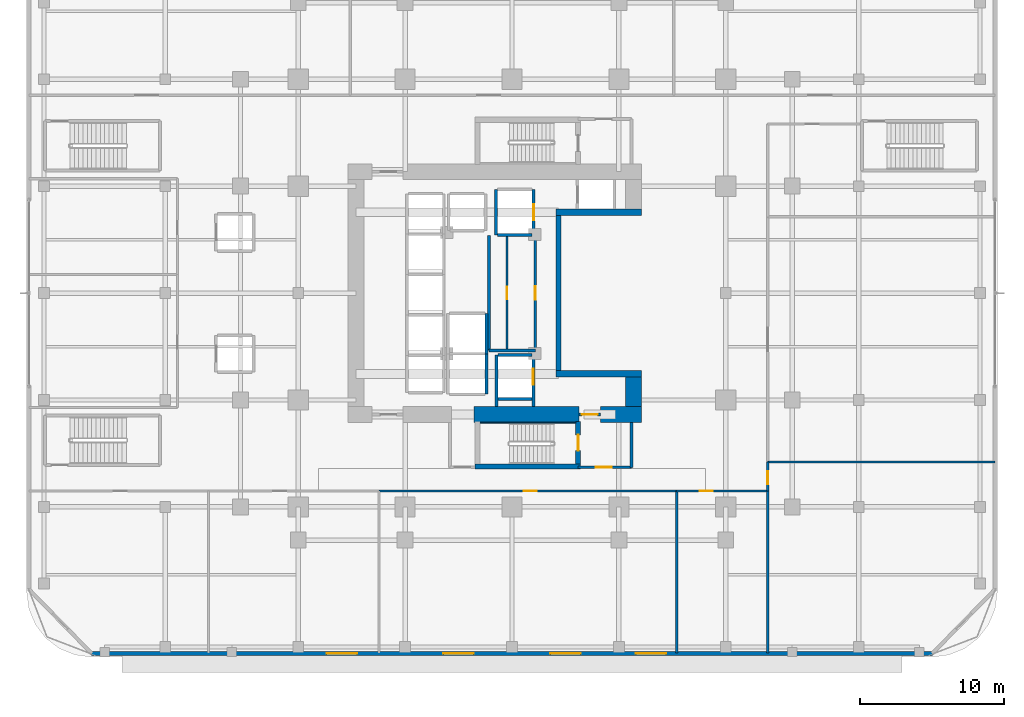
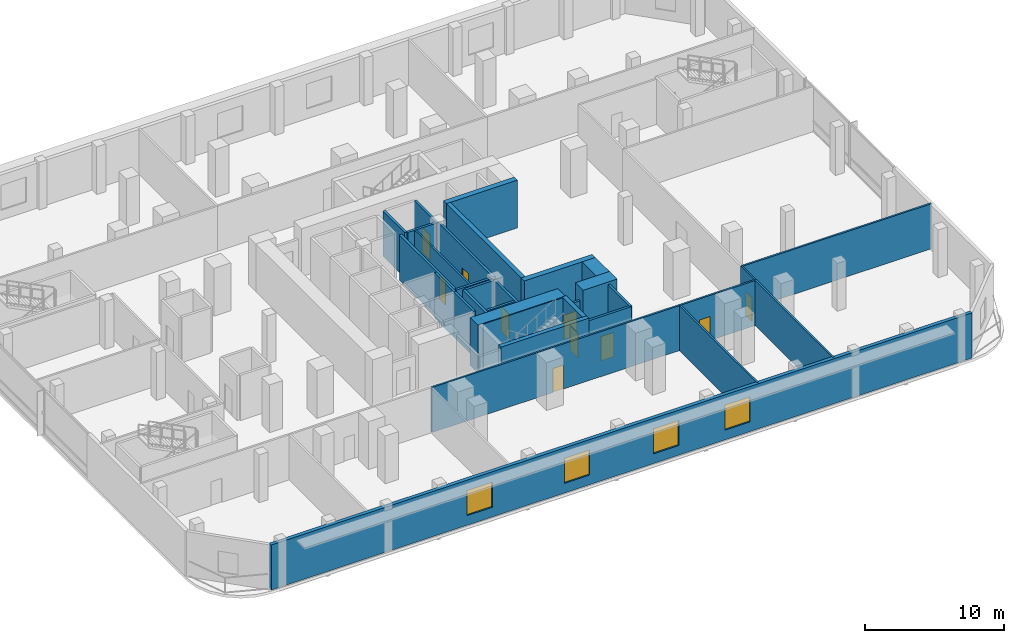
# One storey, part 9 of 19: 32 walls, 10 doors, 4 windows, 14 openings.
"""IFC4 building model written with IfcOpenShell, lengths in metres."""

from ifc_helpers import new_model, si_unit, direction, frame, frame_2d, origin, place, context, subcontext, project, spatial, rectangle, extrude, material, layer, layer_set, type_object, element, fill, save


model = new_model("IFC4")

# Units and contexts
model_context = context("Model", 3, precision=1e-05, world=origin(), true_north=direction((0.0, 1.0)))
body_context = subcontext(model_context, "Body", "Model", "MODEL_VIEW")
ifc_project = project(units=[si_unit("LENGTHUNIT", "METRE"), si_unit("AREAUNIT", "SQUARE_METRE"), si_unit("VOLUMEUNIT", "CUBIC_METRE"), si_unit("PLANEANGLEUNIT", "RADIAN"), si_unit("MASSUNIT", "GRAM", prefix="KILO")], contexts=[model_context])

# Site, building, storey
site_placement = place(None, origin())
site = spatial("IfcSite", under=ifc_project, at=site_placement, CompositionType="ELEMENT")
building_placement = place(site_placement, origin())
building = spatial("IfcBuilding", under=site, at=building_placement, Name="Khorvyn Point Tower", CompositionType="ELEMENT")
storey_placement = place(building_placement, frame((0.0, 0.0, 17.39990234375)))
storey = spatial("IfcBuildingStorey", under=building, at=storey_placement, Name="L05", CompositionType="ELEMENT", Elevation=17.39990234375)

# Walls
ifc_material_1 = material(Name="Concrete C40/50", Category="concrete")
ifc_layer_1 = layer(ifc_material_1, 0.449951171875)
ifc_layer_set_1 = layer_set([ifc_layer_1], Name="Concrete C40/50 Core Shear Wall 450")
wall_type_1 = type_object("IfcWallType", Name="Concrete C40/50 Core Shear Wall 450", PredefinedType="SHEAR", material=ifc_layer_set_1)
for number, where, z_axis, x_axis, name in (
    (1, (3.044921875, -5.60009765625, 0.0), (0.0, 0.0, 1.0), (1.0, 0.0, 0.0), "Wall"),
    (2, (3.044921875, 5.60009765625, 0.0), (0.0, 0.0, 1.0), (1.0, 0.0, 0.0), "Wall"),
):
    element("IfcWall", number, at=place(storey_placement, frame(where, z_axis=z_axis, x_axis=x_axis)), inside=storey, type_object=wall_type_1, Name=name, PredefinedType="SHEAR", context=body_context, shape_type="SweptSolid", body=[
        extrude(rectangle(XDim=5.905029296875, YDim=0.449951171875, at=frame_2d((2.95263671875, 0.0))), origin(), (0.0, 0.0, 1.0), 4.2001953125),
    ])

# Wall, opening, door
ifc_layer_2 = layer(ifc_material_1, 0.199951171875)
ifc_layer_set_2 = layer_set([ifc_layer_2], Name="Concrete C40/50 Fire-Lobby Compartment Wall 200")
wall_type_2 = type_object("IfcWallType", Name="Concrete C40/50 Fire-Lobby Compartment Wall 200", PredefinedType="SOLIDWALL", material=ifc_layer_set_2)
wall_1_placement = place(storey_placement, frame((4.580078125, -12.06005859375, 0.0), z_axis=(0.0, 0.0, 1.0), x_axis=(1.0, 0.0, 0.0)))
wall_1 = element("IfcWall", 3, at=wall_1_placement, inside=storey, type_object=wall_type_2, Name="Wall", PredefinedType="SOLIDWALL", context=body_context, shape_type="SweptSolid", body=[
    extrude(rectangle(XDim=3.699951171875, YDim=0.199951171875, at=frame_2d((1.85009765625, 0.0))), origin(), (0.0, 0.0, 1.0), 3.960205078125),
])
opening_1_placement = place(wall_1_placement, frame((1.21240234375, 0.0, 0.0)))
opening_1 = element("IfcOpeningElement", 4, at=opening_1_placement, cuts=wall_1, Name="Opening ID-FL90", PredefinedType="OPENING", context=body_context, shape_type="SweptSolid", body=[
    extrude(rectangle(XDim=1.10009765625, YDim=2.14990234375, at=frame_2d((0.550048828125, 1.074951171875))), frame((0.0, 0.10986328125, 0.0), z_axis=(0.0, -1.0, 0.0), x_axis=(1.0, 0.0, 0.0)), (0.0, 0.0, 1.0), 0.219970703125),
])
ifc_material_2 = material(Name="Galvanised powder-coated steel", Category="steel")
door_type_1 = type_object("IfcDoorType", Name="Fire-Rated Steel Lobby and Stair Door 1100x2150", OperationType="NOTDEFINED", PredefinedType="DOOR", material=ifc_material_2)
door_1_placement = place(opening_1_placement, origin())
door_1 = element("IfcDoor", 5, at=door_1_placement, inside=storey, type_object=door_type_1, Name="Door", OperationType="SINGLE_SWING_RIGHT", OverallHeight=2.14990234375, OverallWidth=1.10009765625, PredefinedType="DOOR", context=body_context, shape_type="SweptSolid", body=[
    extrude(rectangle(XDim=1.10009765625, YDim=2.14990234375, at=frame_2d((0.550048828125, 1.074951171875))), frame((0.0, 0.02490234375, 0.0), z_axis=(0.0, -1.0, 0.0), x_axis=(1.0, 0.0, 0.0)), (0.0, 0.0, 1.0), 0.050048828125),
])
fill(opening_1, door_1)

wall_2_placement = place(storey_placement, frame((4.64990234375, -8.39990234375, 0.0), z_axis=(0.0, 0.0, 1.0), x_axis=(1.0, 0.0, 0.0)))
wall_2 = element("IfcWall", 6, at=wall_2_placement, inside=storey, type_object=wall_type_2, Name="Wall", PredefinedType="SOLIDWALL", context=body_context, shape_type="SweptSolid", body=[
    extrude(rectangle(XDim=1.47021484375, YDim=0.199951171875, at=frame_2d((0.735107421875, 0.0))), origin(), (0.0, 0.0, 1.0), 3.0),
])
opening_2_placement = place(wall_2_placement, frame((0.18505859375, 0.0, 0.0)))
opening_2 = element("IfcOpeningElement", 7, at=opening_2_placement, cuts=wall_2, Name="Opening ID-FL90", PredefinedType="OPENING", context=body_context, shape_type="SweptSolid", body=[
    extrude(rectangle(XDim=1.10009765625, YDim=2.14990234375, at=frame_2d((0.550048828125, 1.074951171875))), frame((0.0, 0.10986328125, 0.0), z_axis=(0.0, -1.0, 0.0), x_axis=(1.0, 0.0, 0.0)), (0.0, 0.0, 1.0), 0.219970703125),
])
door_2_placement = place(opening_2_placement, origin())
door_2 = element("IfcDoor", 8, at=door_2_placement, inside=storey, type_object=door_type_1, Name="Door", OperationType="SINGLE_SWING_LEFT", OverallHeight=2.14990234375, OverallWidth=1.10009765625, PredefinedType="DOOR", context=body_context, shape_type="SweptSolid", body=[
    extrude(rectangle(XDim=1.10009765625, YDim=2.14990234375, at=frame_2d((0.550048828125, 1.074951171875))), frame((0.0, 0.02490234375, 0.0), z_axis=(0.0, -1.0, 0.0), x_axis=(1.0, 0.0, 0.0)), (0.0, 0.0, 1.0), 0.050048828125),
])
fill(opening_2, door_2)

wall_3_placement = place(storey_placement, frame((1.610107421875, -3.97998046875, 0.0), z_axis=(0.0, 0.0, 1.0), x_axis=(0.0, 1.0, 0.0)))
wall_3 = element("IfcWall", 9, at=wall_3_placement, inside=storey, type_object=wall_type_2, Name="Wall", PredefinedType="SOLIDWALL", context=body_context, shape_type="SweptSolid", body=[
    extrude(rectangle(XDim=7.9599609375, YDim=0.199951171875, at=frame_2d((3.97998046875, 0.0))), origin(), (0.0, 0.0, 1.0), 3.960205078125),
])
opening_3_placement = place(wall_3_placement, frame((3.52001953125, 0.0, 0.0)))
opening_3 = element("IfcOpeningElement", 10, at=opening_3_placement, cuts=wall_3, Name="Opening ID-RS60", PredefinedType="OPENING", context=body_context, shape_type="SweptSolid", body=[
    extrude(rectangle(XDim=0.919921875, YDim=2.10009765625, at=frame_2d((0.4599609375, 1.050048828125))), frame((0.0, 0.10986328125, 0.0), z_axis=(0.0, -1.0, 0.0), x_axis=(1.0, 0.0, 0.0)), (0.0, 0.0, 1.0), 0.219970703125),
])
door_type_2 = type_object("IfcDoorType", Name="Fire-Rated Riser and Store Steel Door 920x2100", OperationType="NOTDEFINED", PredefinedType="DOOR", material=ifc_material_2)
door_3_placement = place(opening_3_placement, origin())
door_3 = element("IfcDoor", 11, at=door_3_placement, inside=storey, type_object=door_type_2, Name="Door", OperationType="SINGLE_SWING_LEFT", OverallHeight=2.10009765625, OverallWidth=0.919921875, PredefinedType="DOOR", context=body_context, shape_type="SweptSolid", body=[
    extrude(rectangle(XDim=0.919921875, YDim=2.10009765625, at=frame_2d((0.4599609375, 1.050048828125))), frame((0.0, 0.02490234375, 0.0), z_axis=(0.0, -1.0, 0.0), x_axis=(1.0, 0.0, 0.0)), (0.0, 0.0, 1.0), 0.050048828125),
])
fill(opening_3, door_3)

# Walls
wall_4_placement = place(storey_placement, frame((8.280029296875, -12.06005859375, 0.0), z_axis=(0.0, 0.0, 1.0), x_axis=(0.0, 1.0, 0.0)))
element("IfcWall", 12, at=wall_4_placement, inside=storey, type_object=wall_type_2, Name="Wall", PredefinedType="SOLIDWALL", context=body_context, shape_type="SweptSolid", body=[
    extrude(rectangle(XDim=3.110107421875, YDim=0.199951171875, at=frame_2d((1.55517578125, 0.0))), origin(), (0.0, 0.0, 1.0), 3.960205078125),
])
wall_5_placement = place(storey_placement, frame((-1.580078125, -3.97998046875, 0.0), z_axis=(0.0, 0.0, 1.0), x_axis=(0.0, 1.0, 0.0)))
element("IfcWall", 13, at=wall_5_placement, inside=storey, type_object=wall_type_2, Name="Wall", PredefinedType="SOLIDWALL", context=body_context, shape_type="SweptSolid", body=[
    extrude(rectangle(XDim=7.9599609375, YDim=0.199951171875, at=frame_2d((3.97998046875, 0.0))), origin(), (0.0, 0.0, 1.0), 3.960205078125),
])
wall_6_placement = place(storey_placement, frame((-1.580078125, -3.97998046875, 0.0), z_axis=(0.0, 0.0, 1.0), x_axis=(1.0, 0.0, 0.0)))
element("IfcWall", 14, at=wall_6_placement, inside=storey, type_object=wall_type_2, Name="Wall", PredefinedType="SOLIDWALL", context=body_context, shape_type="SweptSolid", body=[
    extrude(rectangle(XDim=3.190185546875, YDim=0.199951171875, at=frame_2d((1.59521484375, 0.0))), origin(), (0.0, 0.0, 1.0), 3.960205078125),
])
ifc_layer_3 = layer(ifc_material_1, 0.25)
ifc_layer_set_3 = layer_set([ifc_layer_3], Name="Concrete C40/50 Stair Inner Cheek Structural Wall 250")
wall_type_3 = type_object("IfcWallType", Name="Concrete C40/50 Stair Inner Cheek Structural Wall 250", PredefinedType="SHEAR", material=ifc_layer_set_3)
wall_7_placement = place(storey_placement, frame((-2.199951171875, -8.987548828125, 0.0), z_axis=(0.0, 0.0, 1.0), x_axis=(1.0, 0.0, 0.0)))
element("IfcWall", 15, at=wall_7_placement, inside=storey, type_object=wall_type_3, Name="Wall", PredefinedType="SHEAR", context=body_context, shape_type="SweptSolid", body=[
    extrude(rectangle(XDim=6.599853515625, YDim=0.074951171875, at=frame_2d((3.2998046875, 0.0))), origin(), (0.0, 0.0, 1.0), 4.2001953125),
])
ifc_layer_4 = layer(ifc_material_1, 0.35009765625)
ifc_layer_set_4 = layer_set([ifc_layer_4], Name="Concrete C40/50 Stair Shaft Structural Wall 350")
wall_type_4 = type_object("IfcWallType", Name="Concrete C40/50 Stair Shaft Structural Wall 350", PredefinedType="SHEAR", material=ifc_layer_set_4)
wall_8_placement = place(storey_placement, frame((3.219970703125, -5.375, 0.0), z_axis=(0.0, 0.0, 1.0), x_axis=(0.0, 1.0, 0.0)))
element("IfcWall", 16, at=wall_8_placement, inside=storey, type_object=wall_type_4, Name="Wall", PredefinedType="SHEAR", context=body_context, shape_type="SweptSolid", body=[
    extrude(rectangle(XDim=10.75, YDim=0.35009765625, at=frame_2d((5.375, 0.0))), origin(), (0.0, 0.0, 1.0), 4.2001953125),
])
wall_9_placement = place(storey_placement, frame((-2.554931640625, -12.0, 0.0), z_axis=(0.0, 0.0, 1.0), x_axis=(1.0, 0.0, 0.0)))
element("IfcWall", 17, at=wall_9_placement, inside=storey, type_object=wall_type_4, Name="L05 ST-01 South Shaft Wall", PredefinedType="SHEAR", context=body_context, shape_type="SweptSolid", body=[
    extrude(rectangle(XDim=7.309814453125, YDim=0.35009765625, at=frame_2d((3.65478515625, 0.0))), origin(), (0.0, 0.0, 1.0), 4.2001953125),
])

# Wall, opening, door
wall_10_placement = place(storey_placement, frame((4.580078125, -8.89990234375, 0.0), z_axis=(0.0, 0.0, 1.0), x_axis=(0.0, -1.0, 0.0)))
wall_10 = element("IfcWall", 18, at=wall_10_placement, inside=storey, type_object=wall_type_4, Name="L05 ST-01 East Landing Door Wall", PredefinedType="SHEAR", context=body_context, shape_type="SweptSolid", body=[
    extrude(rectangle(XDim=2.925048828125, YDim=0.35009765625, at=frame_2d((1.46240234375, 0.0))), origin(), (0.0, 0.0, 1.0), 4.2001953125),
])
opening_4_placement = place(wall_10_placement, frame((0.91259765625, 0.0, 0.0)))
opening_4 = element("IfcOpeningElement", 19, at=opening_4_placement, cuts=wall_10, Name="Opening ID-FL90", PredefinedType="OPENING", context=body_context, shape_type="SweptSolid", body=[
    extrude(rectangle(XDim=1.10009765625, YDim=2.14990234375, at=frame_2d((0.550048828125, 1.074951171875))), frame((0.0, 0.18505859375, 0.0), z_axis=(0.0, -1.0, 0.0), x_axis=(1.0, 0.0, 0.0)), (0.0, 0.0, 1.0), 0.3701171875),
])
door_4_placement = place(opening_4_placement, origin())
door_4 = element("IfcDoor", 20, at=door_4_placement, inside=storey, type_object=door_type_1, Name="L05 ST-01 Smokeproof Landing Door", OperationType="SINGLE_SWING_LEFT", OverallHeight=2.14990234375, OverallWidth=1.10009765625, PredefinedType="DOOR", context=body_context, shape_type="SweptSolid", body=[
    extrude(rectangle(XDim=1.10009765625, YDim=2.14990234375, at=frame_2d((0.550048828125, 1.074951171875))), frame((0.0, 0.02490234375, 0.0), z_axis=(0.0, -1.0, 0.0), x_axis=(1.0, 0.0, 0.0)), (0.0, 0.0, 1.0), 0.050048828125),
])
fill(opening_4, door_4)

# Walls
ifc_layer_5 = layer(ifc_material_1, 0.199951171875)
ifc_layer_set_5 = layer_set([ifc_layer_5], Name="Concrete C40/50 Structural Hoistway and Stair Shaft Wall 200")
wall_type_5 = type_object("IfcWallType", Name="Concrete C40/50 Structural Hoistway and Stair Shaft Wall 200", PredefinedType="SHEAR", material=ifc_layer_set_5)
for number, where, z_axis, x_axis, name in (
    (21, (-1.77490234375, -7.0, 0.0), (0.0, 0.0, 1.0), (0.0, 1.0, 0.0), "Wall"),
    (22, (-1.77490234375, -4.199951171875, 0.0), (0.0, 0.0, 1.0), (0.0, 1.0, 0.0), "Wall"),
):
    element("IfcWall", number, at=place(storey_placement, frame(where, z_axis=z_axis, x_axis=x_axis)), inside=storey, type_object=wall_type_5, Name=name, PredefinedType="SHEAR", context=body_context, shape_type="SweptSolid", body=[
        extrude(rectangle(XDim=2.800048828125, YDim=0.199951171875, at=frame_2d((1.39990234375, 0.0))), origin(), (0.0, 0.0, 1.0), 3.960205078125),
    ])
wall_11_placement = place(storey_placement, frame((-1.10009765625, 4.02490234375, 0.0), z_axis=(0.0, 0.0, 1.0), x_axis=(0.0, 1.0, 0.0)))
element("IfcWall", 23, at=wall_11_placement, inside=storey, type_object=wall_type_5, Name="Wall", PredefinedType="SHEAR", context=body_context, shape_type="SweptSolid", body=[
    extrude(rectangle(XDim=3.150146484375, YDim=0.199951171875, at=frame_2d((1.5751953125, 0.0))), origin(), (0.0, 0.0, 1.0), 3.960205078125),
])

# Wall, opening, door
wall_12_placement = place(storey_placement, frame((1.5, 4.02490234375, 0.0), z_axis=(0.0, 0.0, 1.0), x_axis=(0.0, 1.0, 0.0)))
wall_12 = element("IfcWall", 24, at=wall_12_placement, inside=storey, type_object=wall_type_5, Name="Wall", PredefinedType="SHEAR", context=body_context, shape_type="SweptSolid", body=[
    extrude(rectangle(XDim=3.150146484375, YDim=0.199951171875, at=frame_2d((1.5751953125, 0.0))), origin(), (0.0, 0.0, 1.0), 3.960205078125),
])
opening_5_placement = place(wall_12_placement, frame((1.02490234375, 0.0, 0.0)))
opening_5 = element("IfcOpeningElement", 25, at=opening_5_placement, cuts=wall_12, Name="Opening LD-1122", PredefinedType="OPENING", context=body_context, shape_type="SweptSolid", body=[
    extrude(rectangle(XDim=1.10009765625, YDim=2.199951171875, at=frame_2d((0.550048828125, 1.10009765625))), frame((0.0, 0.10986328125, 0.0), z_axis=(0.0, -1.0, 0.0), x_axis=(1.0, 0.0, 0.0)), (0.0, 0.0, 1.0), 0.219970703125),
])
ifc_material_3 = material(Name="Stainless steel 1.4301", Category="steel")
door_type_3 = type_object("IfcDoorType", Name="Stainless Steel Automatic Sliding Lift Landing Door 1100x2200", OperationType="SLIDING_TO_LEFT", PredefinedType="DOOR", material=ifc_material_3)
door_5_placement = place(opening_5_placement, origin())
door_5 = element("IfcDoor", 26, at=door_5_placement, inside=storey, type_object=door_type_3, Name="L05 SV-01 Sliding Lift Landing Door", OperationType="SLIDING_TO_LEFT", OverallHeight=2.199951171875, OverallWidth=1.10009765625, PredefinedType="DOOR", context=body_context, shape_type="SweptSolid", body=[
    extrude(rectangle(XDim=1.10009765625, YDim=2.199951171875, at=frame_2d((0.550048828125, 1.10009765625))), frame((0.0, 0.02490234375, 0.0), z_axis=(0.0, -1.0, 0.0), x_axis=(1.0, 0.0, 0.0)), (0.0, 0.0, 1.0), 0.050048828125),
])
fill(opening_5, door_5)

# Walls
wall_13_placement = place(storey_placement, frame((-1.0, 4.02490234375, 0.0), z_axis=(0.0, 0.0, 1.0), x_axis=(1.0, 0.0, 0.0)))
element("IfcWall", 27, at=wall_13_placement, inside=storey, type_object=wall_type_5, Name="Wall", PredefinedType="SHEAR", context=body_context, shape_type="SweptSolid", body=[
    extrude(rectangle(XDim=2.39990234375, YDim=0.199951171875, at=frame_2d((1.199951171875, 0.0))), origin(), (0.0, 0.0, 1.0), 3.960205078125),
])
wall_14_placement = place(storey_placement, frame((-1.074951171875, -7.85009765625, 0.0), z_axis=(0.0, 0.0, 1.0), x_axis=(0.0, 1.0, 0.0)))
element("IfcWall", 28, at=wall_14_placement, inside=storey, type_object=wall_type_5, Name="Wall", PredefinedType="SHEAR", context=body_context, shape_type="SweptSolid", body=[
    extrude(rectangle(XDim=3.5751953125, YDim=0.199951171875, at=frame_2d((1.78759765625, 0.0))), origin(), (0.0, 0.0, 1.0), 3.960205078125),
])

# Wall, opening, door
wall_15_placement = place(storey_placement, frame((1.47509765625, -7.85009765625, 0.0), z_axis=(0.0, 0.0, 1.0), x_axis=(0.0, 1.0, 0.0)))
wall_15 = element("IfcWall", 29, at=wall_15_placement, inside=storey, type_object=wall_type_5, Name="Wall", PredefinedType="SHEAR", context=body_context, shape_type="SweptSolid", body=[
    extrude(rectangle(XDim=3.5751953125, YDim=0.199951171875, at=frame_2d((1.78759765625, 0.0))), origin(), (0.0, 0.0, 1.0), 3.960205078125),
])
opening_6_placement = place(wall_15_placement, frame((1.5, 0.0, 0.0)))
opening_6 = element("IfcOpeningElement", 30, at=opening_6_placement, cuts=wall_15, Name="Opening LD-1122", PredefinedType="OPENING", context=body_context, shape_type="SweptSolid", body=[
    extrude(rectangle(XDim=1.10009765625, YDim=2.199951171875, at=frame_2d((0.550048828125, 1.10009765625))), frame((0.0, 0.10986328125, 0.0), z_axis=(0.0, -1.0, 0.0), x_axis=(1.0, 0.0, 0.0)), (0.0, 0.0, 1.0), 0.219970703125),
])
door_6_placement = place(opening_6_placement, origin())
door_6 = element("IfcDoor", 31, at=door_6_placement, inside=storey, type_object=door_type_3, Name="L05 FF-01 Sliding Lift Landing Door", OperationType="SLIDING_TO_LEFT", OverallHeight=2.199951171875, OverallWidth=1.10009765625, PredefinedType="DOOR", context=body_context, shape_type="SweptSolid", body=[
    extrude(rectangle(XDim=1.10009765625, YDim=2.199951171875, at=frame_2d((0.550048828125, 1.10009765625))), frame((0.0, 0.02490234375, 0.0), z_axis=(0.0, -1.0, 0.0), x_axis=(1.0, 0.0, 0.0)), (0.0, 0.0, 1.0), 0.050048828125),
])
fill(opening_6, door_6)

# Walls
for number, where, z_axis, x_axis, name in (
    (32, (-0.97509765625, -7.324951171875, 0.0), (0.0, 0.0, 1.0), (1.0, 0.0, 0.0), "Wall"),
    (33, (-0.97509765625, -4.27490234375, 0.0), (0.0, 0.0, 1.0), (1.0, 0.0, 0.0), "Wall"),
):
    element("IfcWall", number, at=place(storey_placement, frame(where, z_axis=z_axis, x_axis=x_axis)), inside=storey, type_object=wall_type_5, Name=name, PredefinedType="SHEAR", context=body_context, shape_type="SweptSolid", body=[
        extrude(rectangle(XDim=2.35009765625, YDim=0.199951171875, at=frame_2d((1.175048828125, 0.0))), origin(), (0.0, 0.0, 1.0), 3.960205078125),
    ])
ifc_material_4 = material(Name="Concrete C50/60", Category="concrete")
ifc_layer_6 = layer(ifc_material_4, 1.10009765625)
ifc_layer_set_6 = layer_set([ifc_layer_6], Name="Concrete C50/60 Core Shear Wall 1100")
wall_type_6 = type_object("IfcWallType", Name="Concrete C50/60 Core Shear Wall 1100", PredefinedType="SHEAR", material=ifc_layer_set_6)
wall_16_placement = place(storey_placement, frame((-2.6201171875, -8.39990234375, 0.0), z_axis=(0.0, 0.0, 1.0), x_axis=(1.0, 0.0, 0.0)))
element("IfcWall", 34, at=wall_16_placement, inside=storey, type_object=wall_type_6, Name="Wall", PredefinedType="SHEAR", context=body_context, shape_type="SweptSolid", body=[
    extrude(rectangle(XDim=7.27001953125, YDim=1.10009765625, at=frame_2d((3.635009765625, 0.0))), origin(), (0.0, 0.0, 1.0), 4.2001953125),
])
wall_17_placement = place(storey_placement, frame((6.1201171875, -8.39990234375, 0.0), z_axis=(0.0, 0.0, 1.0), x_axis=(1.0, 0.0, 0.0)))
element("IfcWall", 35, at=wall_17_placement, inside=storey, type_object=wall_type_6, Name="Wall", PredefinedType="SHEAR", context=body_context, shape_type="SweptSolid", body=[
    extrude(rectangle(XDim=2.829833984375, YDim=1.10009765625, at=frame_2d((1.4150390625, 0.0))), origin(), (0.0, 0.0, 1.0), 4.2001953125),
])
wall_18_placement = place(storey_placement, frame((8.39990234375, -7.85009765625, 0.0), z_axis=(0.0, 0.0, 1.0), x_axis=(0.0, 1.0, 0.0)))
element("IfcWall", 36, at=wall_18_placement, inside=storey, type_object=wall_type_6, Name="Wall", PredefinedType="SHEAR", context=body_context, shape_type="SweptSolid", body=[
    extrude(rectangle(XDim=2.025146484375, YDim=1.10009765625, at=frame_2d((1.0126953125, 0.0))), origin(), (0.0, 0.0, 1.0), 4.2001953125),
])

# Wall, opening, door
ifc_material_5 = material(Name="Moisture-resistant gypsum and cement board", Category="gypsum")
ifc_layer_7 = layer(ifc_material_5, 0.14990234375)
ifc_layer_set_7 = layer_set([ifc_layer_7], Name="Moisture-Resistant Wet-Room Partition Wall 150")
wall_type_7 = type_object("IfcWallType", Name="Moisture-Resistant Wet-Room Partition Wall 150", PredefinedType="PARTITIONING", material=ifc_layer_set_7)
wall_19_placement = place(storey_placement, frame((-0.35009765625, -3.97998046875, 0.0), z_axis=(0.0, 0.0, 1.0), x_axis=(0.0, 1.0, 0.0)))
wall_19 = element("IfcWall", 37, at=wall_19_placement, inside=storey, type_object=wall_type_7, Name="Wall", PredefinedType="PARTITIONING", context=body_context, shape_type="SweptSolid", body=[
    extrude(rectangle(XDim=7.9599609375, YDim=0.14990234375, at=frame_2d((3.97998046875, 0.0))), origin(), (0.0, 0.0, 1.0), 3.960205078125),
])
opening_7_placement = place(wall_19_placement, frame((3.554931640625, 0.0, 0.0)))
opening_7 = element("IfcOpeningElement", 38, at=opening_7_placement, cuts=wall_19, Name="Opening ID-WC85", PredefinedType="OPENING", context=body_context, shape_type="SweptSolid", body=[
    extrude(rectangle(XDim=0.85009765625, YDim=2.10009765625, at=frame_2d((0.425048828125, 1.050048828125))), frame((0.0, 0.0849609375, 0.0), z_axis=(0.0, -1.0, 0.0), x_axis=(1.0, 0.0, 0.0)), (0.0, 0.0, 1.0), 0.169921875),
])
ifc_material_6 = material(Name="High-pressure laminate on moisture-resistant core", Category="wood")
door_type_4 = type_object("IfcDoorType", Name="Moisture-Resistant Accessible Washroom Door 850x2100", OperationType="NOTDEFINED", PredefinedType="DOOR", material=ifc_material_6)
door_7_placement = place(opening_7_placement, origin())
door_7 = element("IfcDoor", 39, at=door_7_placement, inside=storey, type_object=door_type_4, Name="Door", OperationType="SINGLE_SWING_RIGHT", OverallHeight=2.10009765625, OverallWidth=0.85009765625, PredefinedType="DOOR", context=body_context, shape_type="SweptSolid", body=[
    extrude(rectangle(XDim=0.85009765625, YDim=2.10009765625, at=frame_2d((0.425048828125, 1.050048828125))), frame((0.0, 0.02490234375, 0.0), z_axis=(0.0, -1.0, 0.0), x_axis=(1.0, 0.0, 0.0)), (0.0, 0.0, 1.0), 0.050048828125),
])
fill(opening_7, door_7)

wall_20_placement = place(storey_placement, frame((-9.199951171875, -13.699951171875, 0.0), z_axis=(0.0, 0.0, 1.0), x_axis=(1.0, 0.0, 0.0)))
wall_20 = element("IfcWall", 40, at=wall_20_placement, inside=storey, type_object=wall_type_7, Name="Wall", PredefinedType="PARTITIONING", context=body_context, shape_type="SweptSolid", body=[
    extrude(rectangle(XDim=20.599853515625, YDim=0.14990234375, at=frame_2d((10.2998046875, 0.0))), origin(), (0.0, 0.0, 1.0), 3.960205078125),
])
opening_8_placement = place(wall_20_placement, frame((10.029296875, 0.0, 0.0)))
opening_8 = element("IfcOpeningElement", 41, at=opening_8_placement, cuts=wall_20, Name="Opening ID-RM90", PredefinedType="OPENING", context=body_context, shape_type="SweptSolid", body=[
    extrude(rectangle(XDim=0.89990234375, YDim=2.10009765625, at=frame_2d((0.449951171875, 1.050048828125))), frame((0.0, 0.0849609375, 0.0), z_axis=(0.0, -1.0, 0.0), x_axis=(1.0, 0.0, 0.0)), (0.0, 0.0, 1.0), 0.169921875),
])
ifc_material_7 = material(Name="Engineered oak veneer timber", Category="wood")
door_type_5 = type_object("IfcDoorType", Name="Flush Engineered Timber Room Door 900x2100", OperationType="NOTDEFINED", PredefinedType="DOOR", material=ifc_material_7)
door_8_placement = place(opening_8_placement, origin())
door_8 = element("IfcDoor", 42, at=door_8_placement, inside=storey, type_object=door_type_5, Name="Door", OperationType="SINGLE_SWING_LEFT", OverallHeight=2.10009765625, OverallWidth=0.89990234375, PredefinedType="DOOR", context=body_context, shape_type="SweptSolid", body=[
    extrude(rectangle(XDim=0.89990234375, YDim=2.10009765625, at=frame_2d((0.449951171875, 1.050048828125))), frame((0.0, 0.02490234375, 0.0), z_axis=(0.0, -1.0, 0.0), x_axis=(1.0, 0.0, 0.0)), (0.0, 0.0, 1.0), 0.050048828125),
])
fill(opening_8, door_8)

wall_21_placement = place(storey_placement, frame((11.39990234375, -13.699951171875, 0.0), z_axis=(0.0, 0.0, 1.0), x_axis=(1.0, 0.0, 0.0)))
wall_21 = element("IfcWall", 43, at=wall_21_placement, inside=storey, type_object=wall_type_7, Name="Wall", PredefinedType="PARTITIONING", context=body_context, shape_type="SweptSolid", body=[
    extrude(rectangle(XDim=6.25, YDim=0.14990234375, at=frame_2d((3.125, 0.0))), origin(), (0.0, 0.0, 1.0), 3.960205078125),
])
opening_9_placement = place(wall_21_placement, frame((1.59716796875, 0.0, 0.0)))
opening_9 = element("IfcOpeningElement", 44, at=opening_9_placement, cuts=wall_21, Name="Opening ID-RM90", PredefinedType="OPENING", context=body_context, shape_type="SweptSolid", body=[
    extrude(rectangle(XDim=0.89990234375, YDim=2.10009765625, at=frame_2d((0.449951171875, 1.050048828125))), frame((0.0, 0.0849609375, 0.0), z_axis=(0.0, -1.0, 0.0), x_axis=(1.0, 0.0, 0.0)), (0.0, 0.0, 1.0), 0.169921875),
])
door_9_placement = place(opening_9_placement, origin())
door_9 = element("IfcDoor", 45, at=door_9_placement, inside=storey, type_object=door_type_5, Name="Door", OperationType="SINGLE_SWING_RIGHT", OverallHeight=2.10009765625, OverallWidth=0.89990234375, PredefinedType="DOOR", context=body_context, shape_type="SweptSolid", body=[
    extrude(rectangle(XDim=0.89990234375, YDim=2.10009765625, at=frame_2d((0.449951171875, 1.050048828125))), frame((0.0, 0.02490234375, 0.0), z_axis=(0.0, -1.0, 0.0), x_axis=(1.0, 0.0, 0.0)), (0.0, 0.0, 1.0), 0.050048828125),
])
fill(opening_9, door_9)

wall_22_placement = place(storey_placement, frame((17.699951171875, -13.699951171875, 0.0), z_axis=(0.0, 0.0, 1.0), x_axis=(0.0, 1.0, 0.0)))
wall_22 = element("IfcWall", 46, at=wall_22_placement, inside=storey, type_object=wall_type_7, Name="Wall", PredefinedType="PARTITIONING", context=body_context, shape_type="SweptSolid", body=[
    extrude(rectangle(XDim=2.0, YDim=0.14990234375, at=frame_2d((1.0, 0.0))), origin(), (0.0, 0.0, 1.0), 3.960205078125),
])
opening_10_placement = place(wall_22_placement, frame((0.471923828125, 0.0, 0.0)))
opening_10 = element("IfcOpeningElement", 47, at=opening_10_placement, cuts=wall_22, Name="Opening ID-RM90", PredefinedType="OPENING", context=body_context, shape_type="SweptSolid", body=[
    extrude(rectangle(XDim=0.89990234375, YDim=2.10009765625, at=frame_2d((0.449951171875, 1.050048828125))), frame((0.0, 0.0849609375, 0.0), z_axis=(0.0, -1.0, 0.0), x_axis=(1.0, 0.0, 0.0)), (0.0, 0.0, 1.0), 0.169921875),
])
door_10_placement = place(opening_10_placement, origin())
door_10 = element("IfcDoor", 48, at=door_10_placement, inside=storey, type_object=door_type_5, Name="Door", OperationType="SINGLE_SWING_LEFT", OverallHeight=2.10009765625, OverallWidth=0.89990234375, PredefinedType="DOOR", context=body_context, shape_type="SweptSolid", body=[
    extrude(rectangle(XDim=0.89990234375, YDim=2.10009765625, at=frame_2d((0.449951171875, 1.050048828125))), frame((0.0, 0.02490234375, 0.0), z_axis=(0.0, -1.0, 0.0), x_axis=(1.0, 0.0, 0.0)), (0.0, 0.0, 1.0), 0.050048828125),
])
fill(opening_10, door_10)

# Walls
wall_23_placement = place(storey_placement, frame((17.699951171875, -11.699951171875, 0.0), z_axis=(0.0, 0.0, 1.0), x_axis=(1.0, 0.0, 0.0)))
element("IfcWall", 49, at=wall_23_placement, inside=storey, type_object=wall_type_7, Name="Wall", PredefinedType="PARTITIONING", context=body_context, shape_type="SweptSolid", body=[
    extrude(rectangle(XDim=15.719970703125, YDim=0.14990234375, at=frame_2d((7.85986328125, 0.0))), origin(), (0.0, 0.0, 1.0), 3.960205078125),
])
for number, where, z_axis, x_axis, name in (
    (50, (11.39990234375, -24.919921875, 0.0), (0.0, 0.0, 1.0), (0.0, 1.0, 0.0), "Wall"),
    (51, (17.699951171875, -24.919921875, 0.0), (0.0, 0.0, 1.0), (0.0, 1.0, 0.0), "Wall"),
):
    element("IfcWall", number, at=place(storey_placement, frame(where, z_axis=z_axis, x_axis=x_axis)), inside=storey, type_object=wall_type_7, Name=name, PredefinedType="PARTITIONING", context=body_context, shape_type="SweptSolid", body=[
        extrude(rectangle(XDim=11.219970703125, YDim=0.14990234375, at=frame_2d((5.60986328125, 0.0))), origin(), (0.0, 0.0, 1.0), 3.960205078125),
    ])

# Wall, openings, windows
ifc_material_8 = material(Name="Precast concrete C35/45", Category="concrete")
ifc_layer_8 = layer(ifc_material_8, 0.300048828125)
ifc_layer_set_8 = layer_set([ifc_layer_8], Name="Precast Concrete C35/45 Insulated Podium Facade Wall 300")
wall_type_8 = type_object("IfcWallType", Name="Precast Concrete C35/45 Insulated Podium Facade Wall 300", PredefinedType="SOLIDWALL", material=ifc_layer_set_8)
wall_24_placement = place(storey_placement, frame((29.10009765625, -24.949951171875, 0.0), z_axis=(0.0, 0.0, 1.0), x_axis=(-1.0, 0.0, 0.0)))
wall_24 = element("IfcWall", 52, at=wall_24_placement, inside=storey, type_object=wall_type_8, Name="L05 South Podium Facade Wall", PredefinedType="SOLIDWALL", context=body_context, shape_type="SweptSolid", body=[
    extrude(rectangle(XDim=58.2001953125, YDim=0.300048828125, at=frame_2d((29.10009765625, 0.0))), origin(), (0.0, 0.0, 1.0), 3.960205078125),
])
opening_11_placement = place(wall_24_placement, frame((39.824951171875, 0.0, 0.85009765625)))
opening_11 = element("IfcOpeningElement", 53, at=opening_11_placement, cuts=wall_24, Name="Opening WN-2122", PredefinedType="OPENING", context=body_context, shape_type="SweptSolid", body=[
    extrude(rectangle(XDim=2.10009765625, YDim=2.199951171875, at=frame_2d((1.050048828125, 1.10009765625))), frame((0.0, 0.159912109375, 0.0), z_axis=(0.0, -1.0, 0.0), x_axis=(1.0, 0.0, 0.0)), (0.0, 0.0, 1.0), 0.320068359375),
])
opening_12_placement = place(wall_24_placement, frame((31.75, 0.0, 0.85009765625)))
opening_12 = element("IfcOpeningElement", 54, at=opening_12_placement, cuts=wall_24, Name="Opening WN-2122", PredefinedType="OPENING", context=body_context, shape_type="SweptSolid", body=[
    extrude(rectangle(XDim=2.10009765625, YDim=2.199951171875, at=frame_2d((1.050048828125, 1.10009765625))), frame((0.0, 0.159912109375, 0.0), z_axis=(0.0, -1.0, 0.0), x_axis=(1.0, 0.0, 0.0)), (0.0, 0.0, 1.0), 0.320068359375),
])
opening_13_placement = place(wall_24_placement, frame((24.35009765625, 0.0, 0.85009765625)))
opening_13 = element("IfcOpeningElement", 55, at=opening_13_placement, cuts=wall_24, Name="Opening WN-2122", PredefinedType="OPENING", context=body_context, shape_type="SweptSolid", body=[
    extrude(rectangle(XDim=2.10009765625, YDim=2.199951171875, at=frame_2d((1.050048828125, 1.10009765625))), frame((0.0, 0.159912109375, 0.0), z_axis=(0.0, -1.0, 0.0), x_axis=(1.0, 0.0, 0.0)), (0.0, 0.0, 1.0), 0.320068359375),
])
opening_14_placement = place(wall_24_placement, frame((18.425048828125, 0.0, 0.85009765625)))
opening_14 = element("IfcOpeningElement", 56, at=opening_14_placement, cuts=wall_24, Name="Opening WN-2122", PredefinedType="OPENING", context=body_context, shape_type="SweptSolid", body=[
    extrude(rectangle(XDim=2.10009765625, YDim=2.199951171875, at=frame_2d((1.050048828125, 1.10009765625))), frame((0.0, 0.159912109375, 0.0), z_axis=(0.0, -1.0, 0.0), x_axis=(1.0, 0.0, 0.0)), (0.0, 0.0, 1.0), 0.320068359375),
])
ifc_material_9 = material(Name="Anodised aluminium 6063-T6 and laminated Low-E glass", Category="aluminium")
window_type = type_object("IfcWindowType", Name="Anodised Aluminium School Classroom Daylight Window 2100x2200", PartitioningType="TRIPLE_PANEL_HORIZONTAL", PredefinedType="WINDOW", material=ifc_material_9)
window_1_placement = place(opening_11_placement, origin())
window_1 = element("IfcWindow", 57, at=window_1_placement, inside=storey, type_object=window_type, Name="L05 South Podium Daylight Window S1", OverallHeight=2.199951171875, OverallWidth=2.10009765625, PartitioningType="SINGLE_PANEL", PredefinedType="WINDOW", context=body_context, shape_type="SweptSolid", body=[
    extrude(rectangle(XDim=2.10009765625, YDim=2.199951171875, at=frame_2d((1.050048828125, 1.10009765625))), frame((0.0, 0.030029296875, 0.0), z_axis=(0.0, -1.0, 0.0), x_axis=(1.0, 0.0, 0.0)), (0.0, 0.0, 1.0), 0.06005859375),
])
fill(opening_11, window_1)
window_2_placement = place(opening_12_placement, origin())
window_2 = element("IfcWindow", 58, at=window_2_placement, inside=storey, type_object=window_type, Name="L05 South Podium Daylight Window S2", OverallHeight=2.199951171875, OverallWidth=2.10009765625, PartitioningType="SINGLE_PANEL", PredefinedType="WINDOW", context=body_context, shape_type="SweptSolid", body=[
    extrude(rectangle(XDim=2.10009765625, YDim=2.199951171875, at=frame_2d((1.050048828125, 1.10009765625))), frame((0.0, 0.030029296875, 0.0), z_axis=(0.0, -1.0, 0.0), x_axis=(1.0, 0.0, 0.0)), (0.0, 0.0, 1.0), 0.06005859375),
])
fill(opening_12, window_2)
window_3_placement = place(opening_13_placement, origin())
window_3 = element("IfcWindow", 59, at=window_3_placement, inside=storey, type_object=window_type, Name="L05 South Podium Daylight Window S3", OverallHeight=2.199951171875, OverallWidth=2.10009765625, PartitioningType="SINGLE_PANEL", PredefinedType="WINDOW", context=body_context, shape_type="SweptSolid", body=[
    extrude(rectangle(XDim=2.10009765625, YDim=2.199951171875, at=frame_2d((1.050048828125, 1.10009765625))), frame((0.0, 0.030029296875, 0.0), z_axis=(0.0, -1.0, 0.0), x_axis=(1.0, 0.0, 0.0)), (0.0, 0.0, 1.0), 0.06005859375),
])
fill(opening_13, window_3)
window_4_placement = place(opening_14_placement, origin())
window_4 = element("IfcWindow", 60, at=window_4_placement, inside=storey, type_object=window_type, Name="L05 South Podium Daylight Window S4", OverallHeight=2.199951171875, OverallWidth=2.10009765625, PartitioningType="SINGLE_PANEL", PredefinedType="WINDOW", context=body_context, shape_type="SweptSolid", body=[
    extrude(rectangle(XDim=2.10009765625, YDim=2.199951171875, at=frame_2d((1.050048828125, 1.10009765625))), frame((0.0, 0.030029296875, 0.0), z_axis=(0.0, -1.0, 0.0), x_axis=(1.0, 0.0, 0.0)), (0.0, 0.0, 1.0), 0.06005859375),
])
fill(opening_14, window_4)

save(model, "model.ifc")
